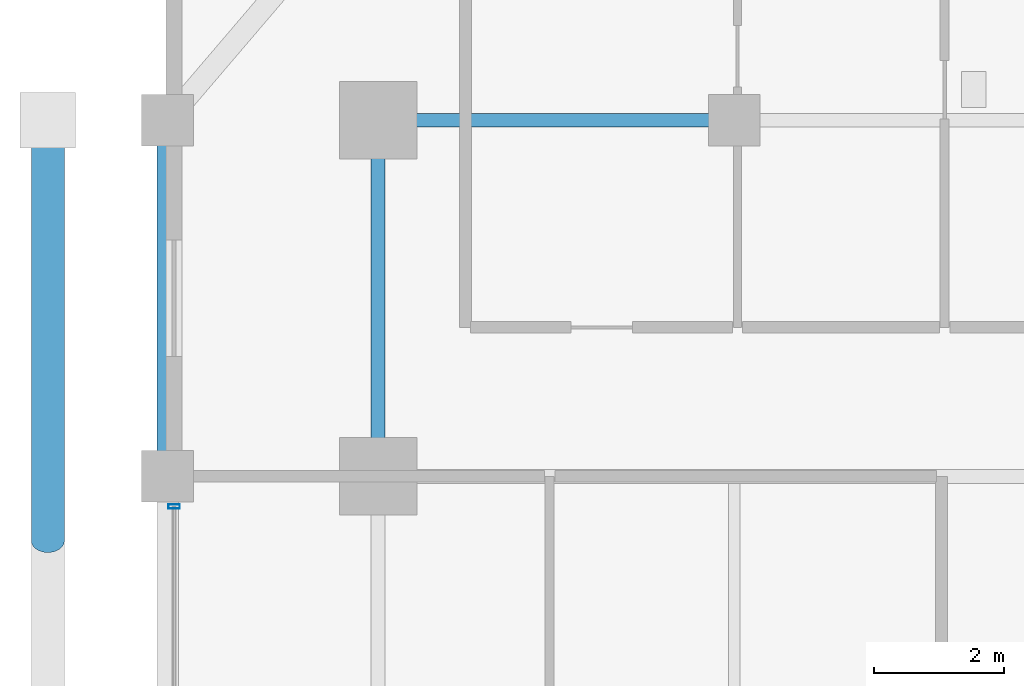
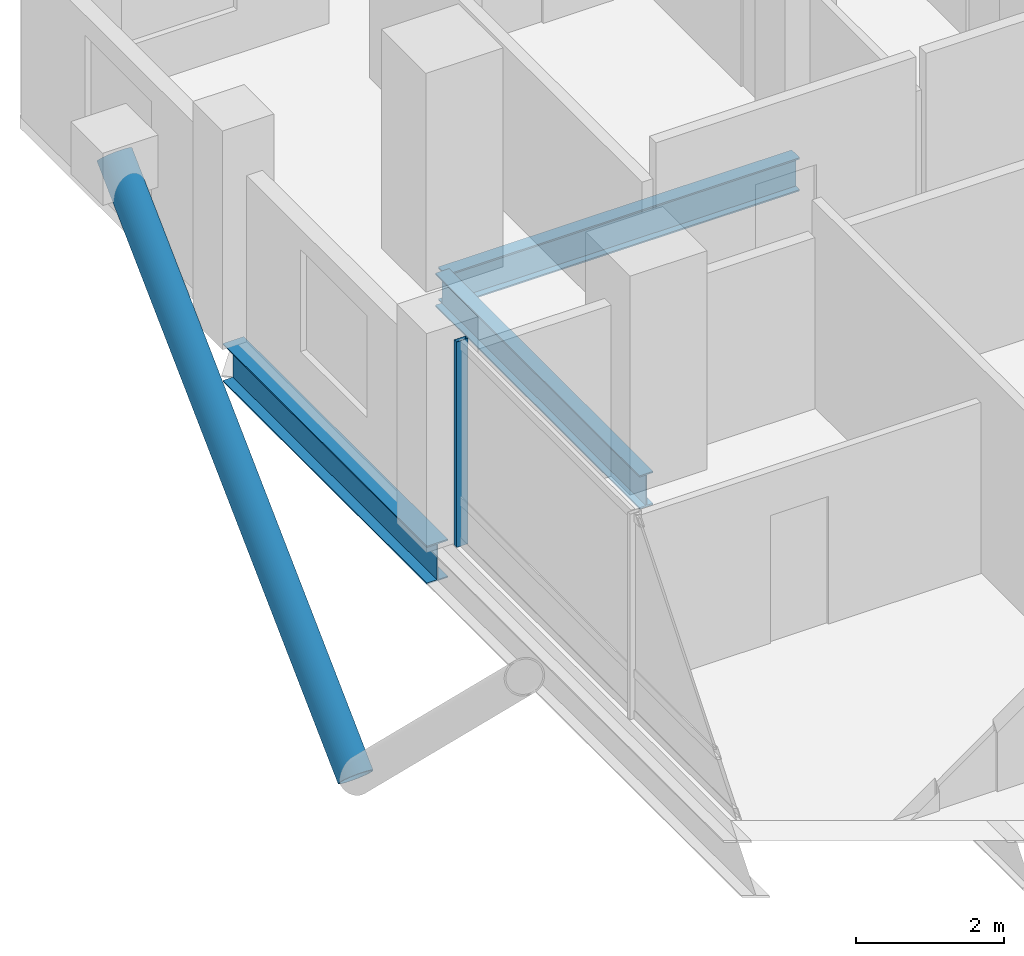
# One storey, part 11 of 22: 3 beams, 2 members, 1 element without a shape of its own.
"""IFC4 building model written with IfcOpenShell, lengths in metres."""

from ifc_helpers import new_model, si_unit, direction, frame, origin, origin_2d, place, context, subcontext, project, spatial, hollow_rectangle, hollow_circle, i_section, extrude, material, layer, layer_set, material_profile, profile_set, type_object, element, aggregate, save


model = new_model("IFC4")

# Units and contexts
model_context = context("Model", 3, precision=1e-05, world=origin(), true_north=direction((0.0, 1.0)))
body_context = subcontext(model_context, "Body", "Model", "MODEL_VIEW")
ifc_project = project(units=[si_unit("LENGTHUNIT", "METRE"), si_unit("AREAUNIT", "SQUARE_METRE"), si_unit("VOLUMEUNIT", "CUBIC_METRE"), si_unit("PLANEANGLEUNIT", "RADIAN"), si_unit("MASSUNIT", "GRAM", prefix="KILO")], contexts=[model_context])

# Site, building, storey
site_placement = place(None, origin())
site = spatial("IfcSite", under=ifc_project, at=site_placement, CompositionType="ELEMENT")
building_placement = place(site_placement, origin())
building = spatial("IfcBuilding", under=site, at=building_placement, Name="Barlavira Tower and Art Museum", CompositionType="ELEMENT")
storey_placement = place(building_placement, frame((0.0, 0.0, 129.60009765625)))
storey = spatial("IfcBuildingStorey", under=building, at=storey_placement, Name="L32", CompositionType="ELEMENT", Elevation=129.60009765625)

# Curtain wall, member
ifc_material_1 = material(Name="Low-iron coastal laminated glass", Category="glass")
ifc_layer = layer(ifc_material_1, 0.18994140625, Name="Low-iron coastal laminated glass")
ifc_layer_set = layer_set([ifc_layer], Name="Low-iron coastal laminated glass")
curtain_wall_type = type_object("IfcCurtainWallType", Name="Pale-Metal Unitised Curtain Wall Zone 2", PredefinedType="NOTDEFINED", material=ifc_layer_set)
curtain_wall_placement = place(storey_placement, origin())
curtain_wall = element("IfcCurtainWall", 1, at=curtain_wall_placement, inside=storey, type_object=curtain_wall_type, Name="L32 Curtain Wall CW2-L32-W-B3", PredefinedType="NOTDEFINED")
ifc_material_2 = material(Name="Pale anodised aluminium", Category="aluminium")
ifc_material_profile_1 = material_profile(ifc_material_2, hollow_rectangle(XDim=0.06494140625, YDim=0.179931640625, WallThickness=0.00390625, at=origin_2d()), Name="ALU-MULL 65x180x4")
ifc_profile_set_1 = profile_set([ifc_material_profile_1], Name="Pale anodised aluminium")
member_type_1 = type_object("IfcMemberType", Name="Curtain Wall Pale-Metal Mullion 65x180", PredefinedType="MULLION", material=ifc_profile_set_1)
member_1_placement = place(storey_placement, frame((-20.14990234375, 7.034912109375, 0.0), z_axis=(0.0, 0.0, 1.0), x_axis=(0.0, -1.0, 0.0)))
member_1 = element("IfcMember", 2, at=member_1_placement, type_object=member_type_1, Name="CW2-L32-W-B3 Mullion 0", PredefinedType="MULLION", context=body_context, shape_type="SweptSolid", body=[
    extrude(hollow_rectangle(XDim=0.06494140625, YDim=0.179931640625, WallThickness=0.00390625, at=origin_2d()), origin(), (0.0, 0.0, 1.0), 3.3798828125),
])
aggregate(curtain_wall, [member_1])

# Member
ifc_material_3 = material(Name="Steel S355", Category="steel")
ifc_material_profile_2 = material_profile(ifc_material_3, hollow_circle(Radius=0.25390625, WallThickness=0.022216796875, at=origin_2d()), Name="CHS 508.0x22.2")
ifc_profile_set_2 = profile_set([ifc_material_profile_2], Name="Steel S355")
member_type_2 = type_object("IfcMemberType", Name="Pale-Metal Exoskeleton Diagrid Tube CHS 508x22 Steel S355", PredefinedType="BRACE", material=ifc_profile_set_2)
member_2_placement = place(storey_placement, frame((-22.10009765625, 6.5, -2.820068359375), z_axis=(0.0, 0.718064979499, 0.695976066555), x_axis=(-1.0, 0.0, 0.0)))
element("IfcMember", 3, at=member_2_placement, inside=storey, type_object=member_type_2, Name="L32 Exoskeleton Diagrid Tube W", PredefinedType="BRACE", context=body_context, shape_type="SweptSolid", body=[
    extrude(hollow_circle(Radius=0.25390625, WallThickness=0.022216796875, at=origin_2d()), origin(), (0.0, 0.0, 1.0), 9.052001953125),
])

# Beams
ifc_material_profile_3 = material_profile(ifc_material_3, i_section(OverallWidth=0.327880859375, OverallDepth=0.62890625, WebThickness=0.013916015625, FlangeThickness=0.021484375, at=origin_2d()), Name="W610x174.0")
ifc_profile_set_3 = profile_set([ifc_material_profile_3], Name="Steel S355")
beam_type_1 = type_object("IfcBeamType", Name="Perimeter Spandrel Edge Beam W610x174 Steel S355", PredefinedType="SPANDREL", material=ifc_profile_set_3)
beam_placement = place(storey_placement, frame((-20.25, 7.5, -0.53466796875), z_axis=(0.0, 1.0, 0.0), x_axis=(-1.0, 0.0, 0.0)))
element("IfcBeam", 4, at=beam_placement, inside=storey, type_object=beam_type_1, Name="L32 Spandrel 13", PredefinedType="SPANDREL", context=body_context, shape_type="SweptSolid", body=[
    extrude(i_section(OverallWidth=0.327880859375, OverallDepth=0.62890625, WebThickness=0.013916015625, FlangeThickness=0.021484375, at=origin_2d()), origin(), (0.0, 0.0, 1.0), 5.5),
])
ifc_material_profile_4 = material_profile(ifc_material_3, i_section(OverallWidth=0.214111328125, OverallDepth=0.549072265625, WebThickness=0.0146484375, FlangeThickness=0.023681640625, at=origin_2d()), Name="W530x138.0")
ifc_profile_set_4 = profile_set([ifc_material_profile_4], Name="Steel S355")
beam_type_2 = type_object("IfcBeamType", Name="Zone 1 Primary Floor Girder W530x138 Steel S355", PredefinedType="BEAM", material=ifc_profile_set_4)
for number, where, z_axis, x_axis, name in (
    (5, (-17.0, 7.5, -0.49462890625), (0.0, 1.0, 0.0), (-1.0, 0.0, 0.0), "L32 Girder M-W3"),
    (6, (-17.0, 13.0, -0.49462890625), (1.0, 0.0, 0.0), (0.0, 1.0, 0.0), "L32 Girder I-N1"),
):
    element("IfcBeam", number, at=place(storey_placement, frame(where, z_axis=z_axis, x_axis=x_axis)), inside=storey, type_object=beam_type_2, Name=name, PredefinedType="BEAM", context=body_context, shape_type="SweptSolid", body=[
        extrude(i_section(OverallWidth=0.214111328125, OverallDepth=0.549072265625, WebThickness=0.0146484375, FlangeThickness=0.023681640625, at=origin_2d()), origin(), (0.0, 0.0, 1.0), 5.5),
    ])

save(model, "model.ifc")
